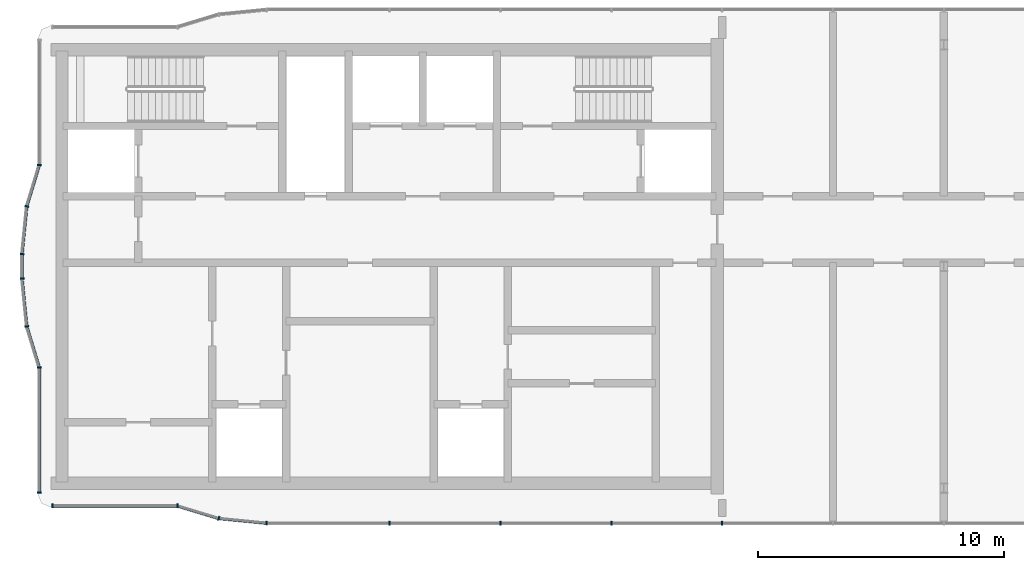
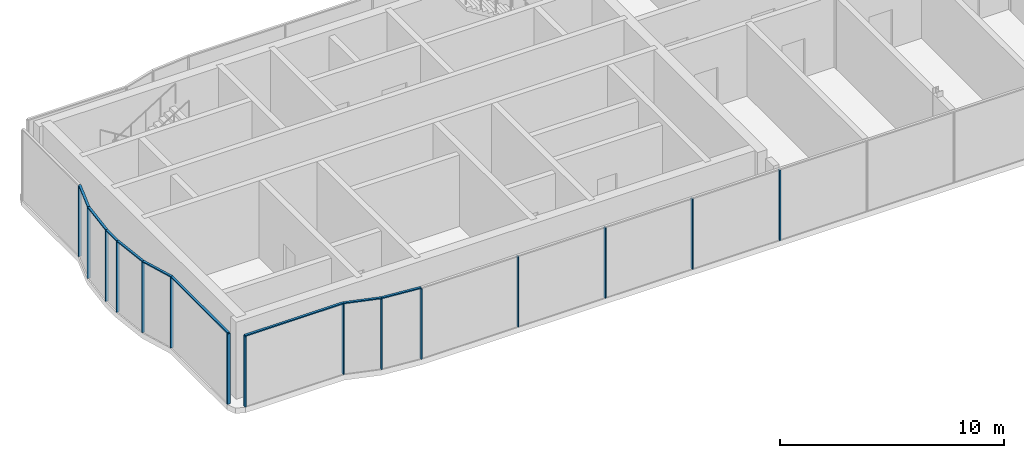
# One storey, part 2 of 14: 24 members, 11 elements without a shape of their own.
"""IFC4 building model written with IfcOpenShell, lengths in metres."""

from ifc_helpers import new_model, si_unit, direction, frame, origin, origin_2d, place, context, subcontext, project, spatial, rectangle, extrude, material, material_profile, profile_set, type_object, element, aggregate, save


model = new_model("IFC4")

# Units and contexts
model_context = context("Model", 3, precision=1e-05, world=origin(), true_north=direction((0.0, 1.0)))
body_context = subcontext(model_context, "Body", "Model", "MODEL_VIEW")
ifc_project = project(units=[si_unit("LENGTHUNIT", "METRE"), si_unit("AREAUNIT", "SQUARE_METRE"), si_unit("VOLUMEUNIT", "CUBIC_METRE"), si_unit("PLANEANGLEUNIT", "RADIAN"), si_unit("MASSUNIT", "GRAM", prefix="KILO")], contexts=[model_context])

# Site, building, storey
site_placement = place(None, origin())
site = spatial("IfcSite", under=ifc_project, at=site_placement, CompositionType="ELEMENT")
building_placement = place(site_placement, origin())
building = spatial("IfcBuilding", under=site, at=building_placement, Name="Ogive Portal Towers", CompositionType="ELEMENT")
storey_placement = place(building_placement, frame((0.0, 0.0, 277.10009765625)))
storey = spatial("IfcBuildingStorey", under=building, at=storey_placement, Name="L67", CompositionType="ELEMENT", Elevation=277.10009765625)

# Curtain wall, members
ifc_material_1 = material(Name="Glass, clear low-iron insulated glazing", Category="glass")
curtain_wall_type = type_object("IfcCurtainWallType", Name="CW CROWN GLAZING", PredefinedType="NOTDEFINED", material=ifc_material_1)
curtain_wall_1_placement = place(storey_placement, origin())
curtain_wall_1 = element("IfcCurtainWall", 1, at=curtain_wall_1_placement, inside=storey, type_object=curtain_wall_type, Name="A:L67:c00:cw", PredefinedType="NOTDEFINED")
ifc_material_2 = material(Name="Aluminium 6063 anodised", Category="aluminium")
ifc_material_profile_1 = material_profile(ifc_material_2, rectangle(XDim=0.159912109375, YDim=0.06005859375, at=origin_2d()), Name="AL 60x160")
ifc_profile_set_1 = profile_set([ifc_material_profile_1], Name="Aluminium 6063 anodised")
member_type_1 = type_object("IfcMemberType", Name="CW MULLION 60x160", PredefinedType="MULLION", material=ifc_profile_set_1)
member_1_placement = place(storey_placement, frame((30.780029296875, 26.38671875, 0.0), z_axis=(0.0, 0.0, 1.0), x_axis=(1.0, 0.0, 0.0)))
member_1 = element("IfcMember", 2, at=member_1_placement, type_object=member_type_1, Name="mullion", PredefinedType="MULLION", context=body_context, shape_type="SweptSolid", body=[
    extrude(rectangle(XDim=0.159912109375, YDim=0.06005859375, at=origin_2d()), origin(), (0.0, 0.0, 1.0), 3.83984375),
])
member_2_placement = place(storey_placement, frame((30.780029296875, 21.31591796875, 0.0), z_axis=(0.0, 0.0, 1.0), x_axis=(1.0, 0.0, 0.0)))
member_2 = element("IfcMember", 3, at=member_2_placement, type_object=member_type_1, Name="mullion", PredefinedType="MULLION", context=body_context, shape_type="SweptSolid", body=[
    extrude(rectangle(XDim=0.159912109375, YDim=0.06005859375, at=origin_2d()), origin(), (0.0, 0.0, 1.0), 3.83984375),
])

curtain_wall_2_placement = place(storey_placement, origin())
curtain_wall_2 = element("IfcCurtainWall", 4, at=curtain_wall_2_placement, inside=storey, type_object=curtain_wall_type, Name="A:L67:c03:cw", PredefinedType="NOTDEFINED")
member_3_placement = place(storey_placement, frame((31.31591796875, 20.780029296875, 0.0), z_axis=(0.0, 0.0, 1.0), x_axis=(0.0, 1.0, 0.0)))
member_3 = element("IfcMember", 5, at=member_3_placement, type_object=member_type_1, Name="mullion", PredefinedType="MULLION", context=body_context, shape_type="SweptSolid", body=[
    extrude(rectangle(XDim=0.159912109375, YDim=0.06005859375, at=origin_2d()), origin(), (0.0, 0.0, 1.0), 3.83984375),
])
member_4_placement = place(storey_placement, frame((36.38671875, 20.780029296875, 0.0), z_axis=(0.0, 0.0, 1.0), x_axis=(0.0, 1.0, 0.0)))
member_4 = element("IfcMember", 6, at=member_4_placement, type_object=member_type_1, Name="mullion", PredefinedType="MULLION", context=body_context, shape_type="SweptSolid", body=[
    extrude(rectangle(XDim=0.159912109375, YDim=0.06005859375, at=origin_2d()), origin(), (0.0, 0.0, 1.0), 3.83984375),
])

# Curtain wall, member
curtain_wall_3_placement = place(storey_placement, origin())
curtain_wall_3 = element("IfcCurtainWall", 7, at=curtain_wall_3_placement, inside=storey, type_object=curtain_wall_type, Name="A:L67:c04:cw", PredefinedType="NOTDEFINED")
member_5_placement = place(storey_placement, frame((38.064697265625, 20.27099609375, 0.0), z_axis=(0.0, 0.0, 1.0), x_axis=(0.290284677254, 0.956940335732, 0.0)))
member_5 = element("IfcMember", 8, at=member_5_placement, type_object=member_type_1, Name="mullion", PredefinedType="MULLION", context=body_context, shape_type="SweptSolid", body=[
    extrude(rectangle(XDim=0.159912109375, YDim=0.06005859375, at=origin_2d()), origin(), (0.0, 0.0, 1.0), 3.83984375),
])

curtain_wall_4_placement = place(storey_placement, origin())
curtain_wall_4 = element("IfcCurtainWall", 9, at=curtain_wall_4_placement, inside=storey, type_object=curtain_wall_type, Name="A:L67:c05:cw", PredefinedType="NOTDEFINED")
member_6_placement = place(storey_placement, frame((40.00390625, 20.080078125, 0.0), z_axis=(0.0, 0.0, 1.0), x_axis=(0.09801714033, 0.995184726672, 0.0)))
member_6 = element("IfcMember", 10, at=member_6_placement, type_object=member_type_1, Name="mullion", PredefinedType="MULLION", context=body_context, shape_type="SweptSolid", body=[
    extrude(rectangle(XDim=0.159912109375, YDim=0.06005859375, at=origin_2d()), origin(), (0.0, 0.0, 1.0), 3.83984375),
])

# Curtain wall, members
curtain_wall_5_placement = place(storey_placement, origin())
curtain_wall_5 = element("IfcCurtainWall", 11, at=curtain_wall_5_placement, inside=storey, type_object=curtain_wall_type, Name="A:L67:c06:cw", PredefinedType="NOTDEFINED")
member_7_placement = place(storey_placement, frame((45.0, 20.080078125, 0.0), z_axis=(0.0, 0.0, 1.0), x_axis=(0.0, 1.0, 0.0)))
member_7 = element("IfcMember", 12, at=member_7_placement, type_object=member_type_1, Name="mullion", PredefinedType="MULLION", context=body_context, shape_type="SweptSolid", body=[
    extrude(rectangle(XDim=0.159912109375, YDim=0.06005859375, at=origin_2d()), origin(), (0.0, 0.0, 1.0), 3.83984375),
])
member_8_placement = place(storey_placement, frame((49.5, 20.080078125, 0.0), z_axis=(0.0, 0.0, 1.0), x_axis=(0.0, 1.0, 0.0)))
member_8 = element("IfcMember", 13, at=member_8_placement, type_object=member_type_1, Name="mullion", PredefinedType="MULLION", context=body_context, shape_type="SweptSolid", body=[
    extrude(rectangle(XDim=0.159912109375, YDim=0.06005859375, at=origin_2d()), origin(), (0.0, 0.0, 1.0), 3.83984375),
])
member_9_placement = place(storey_placement, frame((54.0, 20.080078125, 0.0), z_axis=(0.0, 0.0, 1.0), x_axis=(0.0, 1.0, 0.0)))
member_9 = element("IfcMember", 14, at=member_9_placement, type_object=member_type_1, Name="mullion", PredefinedType="MULLION", context=body_context, shape_type="SweptSolid", body=[
    extrude(rectangle(XDim=0.159912109375, YDim=0.06005859375, at=origin_2d()), origin(), (0.0, 0.0, 1.0), 3.83984375),
])
member_10_placement = place(storey_placement, frame((58.5, 20.080078125, 0.0), z_axis=(0.0, 0.0, 1.0), x_axis=(0.0, 1.0, 0.0)))
member_10 = element("IfcMember", 15, at=member_10_placement, type_object=member_type_1, Name="mullion", PredefinedType="MULLION", context=body_context, shape_type="SweptSolid", body=[
    extrude(rectangle(XDim=0.159912109375, YDim=0.06005859375, at=origin_2d()), origin(), (0.0, 0.0, 1.0), 3.83984375),
])
aggregate(curtain_wall_5, [member_7, member_8, member_9, member_10])

# Curtain wall, member
curtain_wall_6_placement = place(storey_placement, origin())
curtain_wall_6 = element("IfcCurtainWall", 16, at=curtain_wall_6_placement, inside=storey, type_object=curtain_wall_type, Name="A:L67:c18:cw", PredefinedType="NOTDEFINED")
member_11_placement = place(storey_placement, frame((30.780029296875, 34.61328125, 0.0), z_axis=(0.0, 0.0, 1.0), x_axis=(1.0, 0.0, 0.0)))
member_11 = element("IfcMember", 17, at=member_11_placement, type_object=member_type_1, Name="mullion", PredefinedType="MULLION", context=body_context, shape_type="SweptSolid", body=[
    extrude(rectangle(XDim=0.159912109375, YDim=0.06005859375, at=origin_2d()), origin(), (0.0, 0.0, 1.0), 3.83984375),
])
aggregate(curtain_wall_6, [member_11])

curtain_wall_7_placement = place(storey_placement, origin())
curtain_wall_7 = element("IfcCurtainWall", 18, at=curtain_wall_7_placement, inside=storey, type_object=curtain_wall_type, Name="A:L67:c19:cw", PredefinedType="NOTDEFINED")
member_12_placement = place(storey_placement, frame((30.27099609375, 32.935302734375, 0.0), z_axis=(0.0, 0.0, 1.0), x_axis=(0.956940335732, -0.290284677254, 0.0)))
member_12 = element("IfcMember", 19, at=member_12_placement, type_object=member_type_1, Name="mullion", PredefinedType="MULLION", context=body_context, shape_type="SweptSolid", body=[
    extrude(rectangle(XDim=0.159912109375, YDim=0.06005859375, at=origin_2d()), origin(), (0.0, 0.0, 1.0), 3.83984375),
])

curtain_wall_8_placement = place(storey_placement, origin())
curtain_wall_8 = element("IfcCurtainWall", 20, at=curtain_wall_8_placement, inside=storey, type_object=curtain_wall_type, Name="A:L67:c20:cw", PredefinedType="NOTDEFINED")
member_13_placement = place(storey_placement, frame((30.080078125, 30.99609375, 0.0), z_axis=(0.0, 0.0, 1.0), x_axis=(0.995184726672, -0.09801714033, 0.0)))
member_13 = element("IfcMember", 21, at=member_13_placement, type_object=member_type_1, Name="mullion", PredefinedType="MULLION", context=body_context, shape_type="SweptSolid", body=[
    extrude(rectangle(XDim=0.159912109375, YDim=0.06005859375, at=origin_2d()), origin(), (0.0, 0.0, 1.0), 3.83984375),
])

curtain_wall_9_placement = place(storey_placement, origin())
curtain_wall_9 = element("IfcCurtainWall", 22, at=curtain_wall_9_placement, inside=storey, type_object=curtain_wall_type, Name="A:L67:c21:cw", PredefinedType="NOTDEFINED")
member_14_placement = place(storey_placement, frame((30.080078125, 30.00390625, 0.0), z_axis=(0.0, 0.0, 1.0), x_axis=(1.0, 0.0, 0.0)))
member_14 = element("IfcMember", 23, at=member_14_placement, type_object=member_type_1, Name="mullion", PredefinedType="MULLION", context=body_context, shape_type="SweptSolid", body=[
    extrude(rectangle(XDim=0.159912109375, YDim=0.06005859375, at=origin_2d()), origin(), (0.0, 0.0, 1.0), 3.83984375),
])

curtain_wall_10_placement = place(storey_placement, origin())
curtain_wall_10 = element("IfcCurtainWall", 24, at=curtain_wall_10_placement, inside=storey, type_object=curtain_wall_type, Name="A:L67:c22:cw", PredefinedType="NOTDEFINED")
member_15_placement = place(storey_placement, frame((30.27099609375, 28.064697265625, 0.0), z_axis=(0.0, 0.0, 1.0), x_axis=(0.995184726672, 0.09801714033, 0.0)))
member_15 = element("IfcMember", 25, at=member_15_placement, type_object=member_type_1, Name="mullion", PredefinedType="MULLION", context=body_context, shape_type="SweptSolid", body=[
    extrude(rectangle(XDim=0.159912109375, YDim=0.06005859375, at=origin_2d()), origin(), (0.0, 0.0, 1.0), 3.83984375),
])

# Member
ifc_material_profile_2 = material_profile(ifc_material_2, rectangle(XDim=0.1201171875, YDim=0.06005859375, at=origin_2d()), Name="AL 120x60")
ifc_profile_set_2 = profile_set([ifc_material_profile_2], Name="Aluminium 6063 anodised")
member_type_2 = type_object("IfcMemberType", Name="CW TRANSOM 60x120", PredefinedType="USERDEFINED", material=ifc_profile_set_2)
member_16_placement = place(storey_placement, frame((30.780029296875, 26.38671875, 3.869873046875), z_axis=(0.0, -1.0, 0.0), x_axis=(1.0, 0.0, 0.0)))
member_16 = element("IfcMember", 26, at=member_16_placement, type_object=member_type_2, Name="transom", ObjectType="TRANSOM", PredefinedType="USERDEFINED", context=body_context, shape_type="SweptSolid", body=[
    extrude(rectangle(XDim=0.1201171875, YDim=0.06005859375, at=origin_2d()), origin(), (0.0, 0.0, 1.0), 5.07080078125),
])

aggregate(curtain_wall_1, [member_16, member_1, member_2])

member_17_placement = place(storey_placement, frame((31.31591796875, 20.780029296875, 3.869873046875), z_axis=(1.0, 0.0, 0.0), x_axis=(0.0, 1.0, 0.0)))
member_17 = element("IfcMember", 27, at=member_17_placement, type_object=member_type_2, Name="transom", ObjectType="TRANSOM", PredefinedType="USERDEFINED", context=body_context, shape_type="SweptSolid", body=[
    extrude(rectangle(XDim=0.1201171875, YDim=0.06005859375, at=origin_2d()), origin(), (0.0, 0.0, 1.0), 5.07080078125),
])

aggregate(curtain_wall_2, [member_17, member_3, member_4])

member_18_placement = place(storey_placement, frame((36.38671875, 20.780029296875, 3.869873046875), z_axis=(0.956936535945, -0.290297203178, 0.0), x_axis=(0.290297203178, 0.956936535945, 0.0)))
member_18 = element("IfcMember", 28, at=member_18_placement, type_object=member_type_2, Name="transom", ObjectType="TRANSOM", PredefinedType="USERDEFINED", context=body_context, shape_type="SweptSolid", body=[
    extrude(rectangle(XDim=0.1201171875, YDim=0.06005859375, at=origin_2d()), origin(), (0.0, 0.0, 1.0), 1.75341796875),
])

aggregate(curtain_wall_3, [member_18, member_5])

member_19_placement = place(storey_placement, frame((38.064697265625, 20.27099609375, 3.869873046875), z_axis=(0.995188602778, -0.097977777587, 0.0), x_axis=(0.097977777587, 0.995188602778, 0.0)))
member_19 = element("IfcMember", 29, at=member_19_placement, type_object=member_type_2, Name="transom", ObjectType="TRANSOM", PredefinedType="USERDEFINED", context=body_context, shape_type="SweptSolid", body=[
    extrude(rectangle(XDim=0.1201171875, YDim=0.06005859375, at=origin_2d()), origin(), (0.0, 0.0, 1.0), 1.948486328125),
])

aggregate(curtain_wall_4, [member_19, member_6])

member_20_placement = place(storey_placement, frame((30.780029296875, 34.61328125, 3.869873046875), z_axis=(-0.290297203178, -0.956936535945, 0.0), x_axis=(0.956936535945, -0.290297203178, 0.0)))
member_20 = element("IfcMember", 30, at=member_20_placement, type_object=member_type_2, Name="transom", ObjectType="TRANSOM", PredefinedType="USERDEFINED", context=body_context, shape_type="SweptSolid", body=[
    extrude(rectangle(XDim=0.1201171875, YDim=0.06005859375, at=origin_2d()), origin(), (0.0, 0.0, 1.0), 1.75341796875),
])

aggregate(curtain_wall_7, [member_20, member_12])

member_21_placement = place(storey_placement, frame((30.27099609375, 32.935302734375, 3.869873046875), z_axis=(-0.097977777587, -0.995188602778, 0.0), x_axis=(0.995188602778, -0.097977777587, 0.0)))
member_21 = element("IfcMember", 31, at=member_21_placement, type_object=member_type_2, Name="transom", ObjectType="TRANSOM", PredefinedType="USERDEFINED", context=body_context, shape_type="SweptSolid", body=[
    extrude(rectangle(XDim=0.1201171875, YDim=0.06005859375, at=origin_2d()), origin(), (0.0, 0.0, 1.0), 1.948486328125),
])

aggregate(curtain_wall_8, [member_21, member_13])

member_22_placement = place(storey_placement, frame((30.080078125, 30.99609375, 3.869873046875), z_axis=(0.0, -1.0, 0.0), x_axis=(1.0, 0.0, 0.0)))
member_22 = element("IfcMember", 32, at=member_22_placement, type_object=member_type_2, Name="transom", ObjectType="TRANSOM", PredefinedType="USERDEFINED", context=body_context, shape_type="SweptSolid", body=[
    extrude(rectangle(XDim=0.1201171875, YDim=0.06005859375, at=origin_2d()), origin(), (0.0, 0.0, 1.0), 0.9921875),
])

aggregate(curtain_wall_9, [member_22, member_14])

member_23_placement = place(storey_placement, frame((30.080078125, 30.00390625, 3.869873046875), z_axis=(0.097977777587, -0.995188602778, 0.0), x_axis=(0.995188602778, 0.097977777587, 0.0)))
member_23 = element("IfcMember", 33, at=member_23_placement, type_object=member_type_2, Name="transom", ObjectType="TRANSOM", PredefinedType="USERDEFINED", context=body_context, shape_type="SweptSolid", body=[
    extrude(rectangle(XDim=0.1201171875, YDim=0.06005859375, at=origin_2d()), origin(), (0.0, 0.0, 1.0), 1.948486328125),
])

aggregate(curtain_wall_10, [member_23, member_15])

# Curtain wall, member
curtain_wall_11_placement = place(storey_placement, origin())
curtain_wall_11 = element("IfcCurtainWall", 34, at=curtain_wall_11_placement, inside=storey, type_object=curtain_wall_type, Name="A:L67:c23:cw", PredefinedType="NOTDEFINED")
member_24_placement = place(storey_placement, frame((30.27099609375, 28.064697265625, 3.869873046875), z_axis=(0.290297203178, -0.956936535945, 0.0), x_axis=(0.956936535945, 0.290297203178, 0.0)))
member_24 = element("IfcMember", 35, at=member_24_placement, type_object=member_type_2, Name="transom", ObjectType="TRANSOM", PredefinedType="USERDEFINED", context=body_context, shape_type="SweptSolid", body=[
    extrude(rectangle(XDim=0.1201171875, YDim=0.06005859375, at=origin_2d()), origin(), (0.0, 0.0, 1.0), 1.75341796875),
])
aggregate(curtain_wall_11, [member_24])

save(model, "model.ifc")
